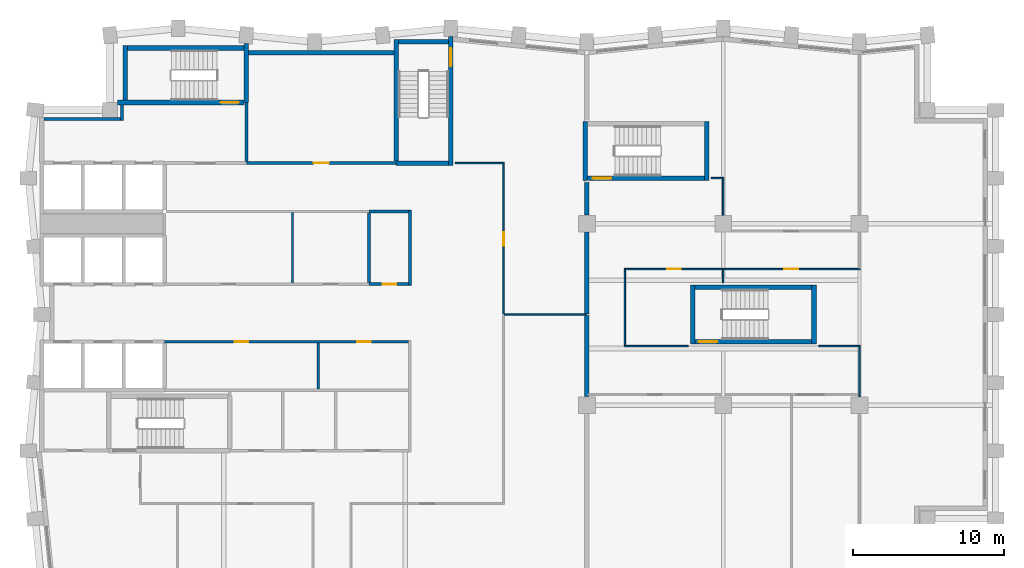
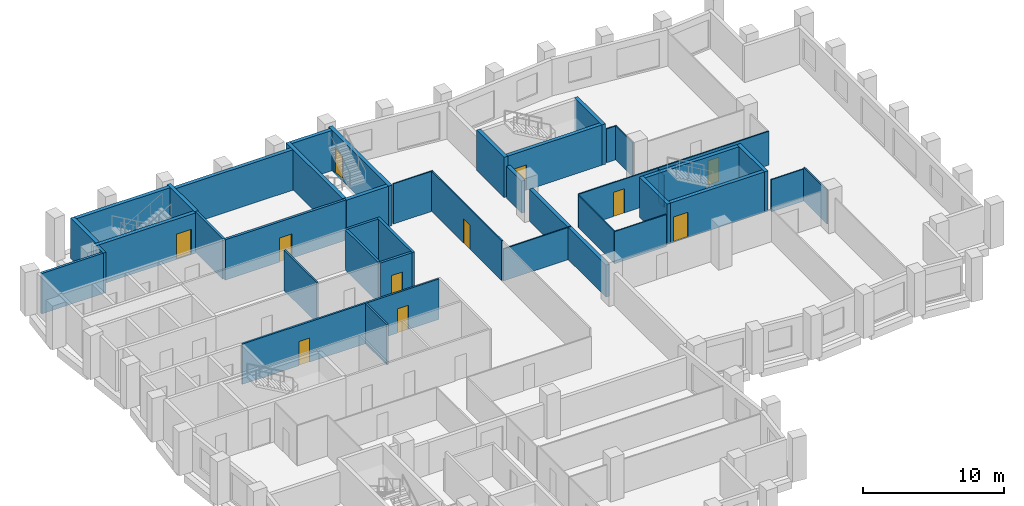
# One storey, part 6 of 10: 42 walls, 11 doors, 11 openings.
"""IFC4 building model written with IfcOpenShell, lengths in metres."""

from ifc_helpers import new_model, si_unit, direction, frame, frame_2d, origin, place, context, subcontext, project, spatial, rectangle, extrude, material, layer, layer_set, type_object, element, fill, save


model = new_model("IFC4")

# Units and contexts
model_context = context("Model", 3, precision=1e-05, world=origin(), true_north=direction((0.0, 1.0)))
body_context = subcontext(model_context, "Body", "Model", "MODEL_VIEW")
ifc_project = project(units=[si_unit("LENGTHUNIT", "METRE"), si_unit("AREAUNIT", "SQUARE_METRE"), si_unit("VOLUMEUNIT", "CUBIC_METRE"), si_unit("PLANEANGLEUNIT", "RADIAN"), si_unit("MASSUNIT", "GRAM", prefix="KILO")], contexts=[model_context])

# Site, building, storey
site_placement = place(None, origin())
site = spatial("IfcSite", under=ifc_project, at=site_placement, CompositionType="ELEMENT")
building_placement = place(site_placement, origin())
building = spatial("IfcBuilding", under=site, at=building_placement, Name="Brondeck Convention Tower", CompositionType="ELEMENT")
storey_placement = place(building_placement, frame((0.0, 0.0, 158.60009765625)))
storey = spatial("IfcBuildingStorey", under=building, at=storey_placement, Name="L38", CompositionType="ELEMENT", Elevation=158.60009765625)

# Walls
ifc_material_1 = material(Name="Concrete compartment wall C30/37", Category="concrete")
ifc_layer_1 = layer(ifc_material_1, 0.300048828125)
ifc_layer_set_1 = layer_set([ifc_layer_1], Name="Compartment wall 300")
wall_type_1 = type_object("IfcWallType", Name="Compartment wall 300", PredefinedType="PARTITIONING", material=ifc_layer_set_1)
wall_1_placement = place(storey_placement, frame((36.0, 39.570068359375, 0.0), z_axis=(0.0, 0.0, 1.0), x_axis=(0.0, 1.0, 0.0)))
element("IfcWall", 1, at=wall_1_placement, inside=storey, type_object=wall_type_1, Name="FLR-L38-W041", PredefinedType="PARTITIONING", context=body_context, shape_type="SweptSolid", body=[
    extrude(rectangle(XDim=5.369873046875, YDim=0.300048828125, at=frame_2d((2.68505859375, 0.0))), origin(), (0.0, 0.0, 1.0), 2.77978515625),
])
wall_2_placement = place(storey_placement, frame((36.0, 45.0400390625, 0.0), z_axis=(0.0, 0.0, 1.0), x_axis=(0.0, 1.0, 0.0)))
element("IfcWall", 2, at=wall_2_placement, inside=storey, type_object=wall_type_1, Name="FLR-L38-W047", PredefinedType="PARTITIONING", context=body_context, shape_type="SweptSolid", body=[
    extrude(rectangle(XDim=5.405029296875, YDim=0.300048828125, at=frame_2d((2.70263671875, 0.0))), origin(), (0.0, 0.0, 1.0), 2.77978515625),
])
wall_3_placement = place(storey_placement, frame((36.0, 51.554931640625, 0.0), z_axis=(0.0, 0.0, 1.0), x_axis=(0.0, 1.0, 0.0)))
element("IfcWall", 3, at=wall_3_placement, inside=storey, type_object=wall_type_1, Name="FLR-L38-W054", PredefinedType="PARTITIONING", context=body_context, shape_type="SweptSolid", body=[
    extrude(rectangle(XDim=2.14501953125, YDim=0.300048828125, at=frame_2d((1.072509765625, 0.0))), origin(), (0.0, 0.0, 1.0), 2.77978515625),
])
ifc_material_2 = material(Name="Concrete C70/85", Category="concrete")
ifc_layer_2 = layer(ifc_material_2, 0.199951171875)
ifc_layer_set_2 = layer_set([ifc_layer_2], Name="Core beam-seat wall 200 Concrete C70/85")
wall_type_2 = type_object("IfcWallType", Name="Core beam-seat wall 200 Concrete C70/85", PredefinedType="SHEAR", material=ifc_layer_set_2)
wall_4_placement = place(storey_placement, frame((24.300048828125, 46.89990234375, 0.0), z_axis=(0.0, 0.0, 1.0), x_axis=(0.0, 1.0, 0.0)))
element("IfcWall", 4, at=wall_4_placement, inside=storey, type_object=wall_type_2, Name="L38 core wall", PredefinedType="SHEAR", context=body_context, shape_type="SweptSolid", body=[
    extrude(rectangle(XDim=5.0, YDim=0.199951171875, at=frame_2d((2.5, 0.0))), origin(), (0.0, 0.0, 1.0), 3.5),
])
ifc_layer_3 = layer(ifc_material_2, 0.300048828125)
ifc_layer_set_3 = layer_set([ifc_layer_3], Name="Core outer wall 300 Concrete C70/85")
wall_type_3 = type_object("IfcWallType", Name="Core outer wall 300 Concrete C70/85", PredefinedType="SHEAR", material=ifc_layer_set_3)
wall_5_placement = place(storey_placement, frame((13.64990234375, 62.300048828125, 0.0), z_axis=(0.0, 0.0, 1.0), x_axis=(1.0, 0.0, 0.0)))
element("IfcWall", 5, at=wall_5_placement, inside=storey, type_object=wall_type_3, Name="L38 core wall", PredefinedType="SHEAR", context=body_context, shape_type="SweptSolid", body=[
    extrude(rectangle(XDim=9.60009765625, YDim=0.300048828125, at=frame_2d((4.800048828125, 0.0))), origin(), (0.0, 0.0, 1.0), 3.5),
])

# Wall, openings, doors
ifc_material_3 = material(Name="Fire-rated gypsum board partition")
ifc_layer_4 = layer(ifc_material_3, 0.14990234375)
ifc_layer_set_4 = layer_set([ifc_layer_4], Name="Core partition 150 EI 60")
wall_type_4 = type_object("IfcWallType", Name="Core partition 150 EI 60", PredefinedType="PARTITIONING", material=ifc_layer_set_4)
wall_6_placement = place(storey_placement, frame((8.10009765625, 43.199951171875, 0.0), z_axis=(0.0, 0.0, 1.0), x_axis=(1.0, 0.0, 0.0)))
wall_6 = element("IfcWall", 6, at=wall_6_placement, inside=storey, type_object=wall_type_4, Name="L38 core wall", PredefinedType="PARTITIONING", context=body_context, shape_type="SweptSolid", body=[
    extrude(rectangle(XDim=16.125, YDim=0.14990234375, at=frame_2d((8.0625, 0.0))), origin(), (0.0, 0.0, 1.0), 3.5),
])
opening_1_placement = place(wall_6_placement, frame((4.625, 0.0, 0.0)))
opening_1 = element("IfcOpeningElement", 7, at=opening_1_placement, cuts=wall_6, Name="Opening C22-09", PredefinedType="OPENING", context=body_context, shape_type="SweptSolid", body=[
    extrude(rectangle(XDim=0.89990234375, YDim=2.10009765625, at=frame_2d((0.449951171875, 1.050048828125))), frame((0.0, 0.0849609375, 0.0), z_axis=(0.0, -1.0, 0.0), x_axis=(1.0, 0.0, 0.0)), (0.0, 0.0, 1.0), 0.169921875),
])
opening_2_placement = place(wall_6_placement, frame((12.72509765625, 0.0, 0.0)))
opening_2 = element("IfcOpeningElement", 8, at=opening_2_placement, cuts=wall_6, Name="Opening C22-10", PredefinedType="OPENING", context=body_context, shape_type="SweptSolid", body=[
    extrude(rectangle(XDim=0.89990234375, YDim=2.10009765625, at=frame_2d((0.449951171875, 1.050048828125))), frame((0.0, 0.0849609375, 0.0), z_axis=(0.0, -1.0, 0.0), x_axis=(1.0, 0.0, 0.0)), (0.0, 0.0, 1.0), 0.169921875),
])
ifc_material_4 = material(Name="Steel fire door", Category="steel")
door_type_1 = type_object("IfcDoorType", Name="Room door 900x2100 EI 60", OperationType="NOTDEFINED", PredefinedType="DOOR", material=ifc_material_4)
door_1_placement = place(opening_1_placement, origin())
door_1 = element("IfcDoor", 9, at=door_1_placement, inside=storey, type_object=door_type_1, Name="L38 Room door FZ-S-8.1-1", OperationType="SINGLE_SWING_RIGHT", OverallHeight=2.10009765625, OverallWidth=0.89990234375, PredefinedType="DOOR", context=body_context, shape_type="SweptSolid", body=[
    extrude(rectangle(XDim=0.89990234375, YDim=2.10009765625, at=frame_2d((0.449951171875, 1.050048828125))), frame((0.0, 0.02490234375, 0.0), z_axis=(0.0, -1.0, 0.0), x_axis=(1.0, 0.0, 0.0)), (0.0, 0.0, 1.0), 0.050048828125),
])
fill(opening_1, door_1)
door_2_placement = place(opening_2_placement, origin())
door_2 = element("IfcDoor", 10, at=door_2_placement, inside=storey, type_object=door_type_1, Name="L38 Room door FZ-S-8.1-2", OperationType="SINGLE_SWING_LEFT", OverallHeight=2.10009765625, OverallWidth=0.89990234375, PredefinedType="DOOR", context=body_context, shape_type="SweptSolid", body=[
    extrude(rectangle(XDim=0.89990234375, YDim=2.10009765625, at=frame_2d((0.449951171875, 1.050048828125))), frame((0.0, 0.02490234375, 0.0), z_axis=(0.0, -1.0, 0.0), x_axis=(1.0, 0.0, 0.0)), (0.0, 0.0, 1.0), 0.050048828125),
])
fill(opening_2, door_2)

# Walls
wall_7_placement = place(storey_placement, frame((16.550048828125, 47.074951171875, 0.0), z_axis=(0.0, 0.0, 1.0), x_axis=(0.0, 1.0, 0.0)))
element("IfcWall", 11, at=wall_7_placement, inside=storey, type_object=wall_type_4, Name="L38 core wall", PredefinedType="PARTITIONING", context=body_context, shape_type="SweptSolid", body=[
    extrude(rectangle(XDim=4.650146484375, YDim=0.14990234375, at=frame_2d((2.3251953125, 0.0))), origin(), (0.0, 0.0, 1.0), 3.5),
])
wall_8_placement = place(storey_placement, frame((18.25, 40.074951171875, 0.0), z_axis=(0.0, 0.0, 1.0), x_axis=(0.0, 1.0, 0.0)))
element("IfcWall", 12, at=wall_8_placement, inside=storey, type_object=wall_type_4, Name="L38 core wall", PredefinedType="PARTITIONING", context=body_context, shape_type="SweptSolid", body=[
    extrude(rectangle(XDim=3.050048828125, YDim=0.14990234375, at=frame_2d((1.52490234375, 0.0))), origin(), (0.0, 0.0, 1.0), 3.5),
])
ifc_layer_5 = layer(ifc_material_3, 0.199951171875)
ifc_layer_set_5 = layer_set([ifc_layer_5], Name="Firefighting lobby wall 200 EI 120")
wall_type_5 = type_object("IfcWallType", Name="Firefighting lobby wall 200 EI 120", PredefinedType="PARTITIONING", material=ifc_layer_set_5)
wall_9_placement = place(storey_placement, frame((0.14990234375, 57.89990234375, 0.0), z_axis=(0.0, 0.0, 1.0), x_axis=(1.0, 0.0, 0.0)))
element("IfcWall", 13, at=wall_9_placement, inside=storey, type_object=wall_type_5, Name="L38 core wall", PredefinedType="PARTITIONING", context=body_context, shape_type="SweptSolid", body=[
    extrude(rectangle(XDim=5.050048828125, YDim=0.199951171875, at=frame_2d((2.52490234375, 0.0))), origin(), (0.0, 0.0, 1.0), 3.5),
])
wall_10_placement = place(storey_placement, frame((5.300048828125, 57.800048828125, 0.0), z_axis=(0.0, 0.0, 1.0), x_axis=(0.0, 1.0, 0.0)))
element("IfcWall", 14, at=wall_10_placement, inside=storey, type_object=wall_type_5, Name="L38 core wall", PredefinedType="PARTITIONING", context=body_context, shape_type="SweptSolid", body=[
    extrude(rectangle(XDim=1.050048828125, YDim=0.199951171875, at=frame_2d((0.52490234375, 0.0))), origin(), (0.0, 0.0, 1.0), 3.5),
])
wall_11_placement = place(storey_placement, frame((13.5, 55.10009765625, 0.0), z_axis=(0.0, 0.0, 1.0), x_axis=(0.0, 1.0, 0.0)))
element("IfcWall", 15, at=wall_11_placement, inside=storey, type_object=wall_type_5, Name="L38 core wall", PredefinedType="PARTITIONING", context=body_context, shape_type="SweptSolid", body=[
    extrude(rectangle(XDim=3.89990234375, YDim=0.199951171875, at=frame_2d((1.949951171875, 0.0))), origin(), (0.0, 0.0, 1.0), 3.5),
])

# Wall, opening, door
ifc_layer_6 = layer(ifc_material_3, 0.199951171875)
ifc_layer_set_6 = layer_set([ifc_layer_6], Name="Riser wall 200 EI 120")
wall_type_6 = type_object("IfcWallType", Name="Riser wall 200 EI 120", PredefinedType="PARTITIONING", material=ifc_layer_set_6)
wall_12_placement = place(storey_placement, frame((21.60009765625, 47.0, 0.0), z_axis=(0.0, 0.0, 1.0), x_axis=(1.0, 0.0, 0.0)))
wall_12 = element("IfcWall", 16, at=wall_12_placement, inside=storey, type_object=wall_type_6, Name="L38 core wall", PredefinedType="PARTITIONING", context=body_context, shape_type="SweptSolid", body=[
    extrude(rectangle(XDim=2.599853515625, YDim=0.199951171875, at=frame_2d((1.2998046875, 0.0))), origin(), (0.0, 0.0, 1.0), 3.5),
])
opening_3_placement = place(wall_12_placement, frame((0.89990234375, 0.0, 0.0)))
opening_3 = element("IfcOpeningElement", 17, at=opening_3_placement, cuts=wall_12, Name="Opening C22-02", PredefinedType="OPENING", context=body_context, shape_type="SweptSolid", body=[
    extrude(rectangle(XDim=0.89990234375, YDim=2.10009765625, at=frame_2d((0.449951171875, 1.050048828125))), frame((0.0, 0.10986328125, 0.0), z_axis=(0.0, -1.0, 0.0), x_axis=(1.0, 0.0, 0.0)), (0.0, 0.0, 1.0), 0.219970703125),
])
door_type_2 = type_object("IfcDoorType", Name="Riser door 900x2100 EI 120", OperationType="NOTDEFINED", PredefinedType="DOOR", material=ifc_material_4)
door_3_placement = place(opening_3_placement, origin())
door_3 = element("IfcDoor", 18, at=door_3_placement, inside=storey, type_object=door_type_2, Name="L38 Riser door EN-1", OperationType="SINGLE_SWING_LEFT", OverallHeight=2.10009765625, OverallWidth=0.89990234375, PredefinedType="DOOR", context=body_context, shape_type="SweptSolid", body=[
    extrude(rectangle(XDim=0.89990234375, YDim=2.10009765625, at=frame_2d((0.449951171875, 1.050048828125))), frame((0.0, 0.02490234375, 0.0), z_axis=(0.0, -1.0, 0.0), x_axis=(1.0, 0.0, 0.0)), (0.0, 0.0, 1.0), 0.050048828125),
])
fill(opening_3, door_3)

# Wall
wall_13_placement = place(storey_placement, frame((21.60009765625, 51.800048828125, 0.0), z_axis=(0.0, 0.0, 1.0), x_axis=(1.0, 0.0, 0.0)))
element("IfcWall", 19, at=wall_13_placement, inside=storey, type_object=wall_type_6, Name="L38 core wall", PredefinedType="PARTITIONING", context=body_context, shape_type="SweptSolid", body=[
    extrude(rectangle(XDim=2.599853515625, YDim=0.199951171875, at=frame_2d((1.2998046875, 0.0))), origin(), (0.0, 0.0, 1.0), 3.5),
])

# Wall, opening, door
wall_14_placement = place(storey_placement, frame((13.5, 55.0, 0.0), z_axis=(0.0, 0.0, 1.0), x_axis=(1.0, 0.0, 0.0)))
wall_14 = element("IfcWall", 20, at=wall_14_placement, inside=storey, type_object=wall_type_6, Name="L38 core wall", PredefinedType="PARTITIONING", context=body_context, shape_type="SweptSolid", body=[
    extrude(rectangle(XDim=9.89990234375, YDim=0.199951171875, at=frame_2d((4.949951171875, 0.0))), origin(), (0.0, 0.0, 1.0), 3.5),
])
opening_4_placement = place(wall_14_placement, frame((4.449951171875, 0.0, 0.0)))
opening_4 = element("IfcOpeningElement", 21, at=opening_4_placement, cuts=wall_14, Name="Opening C22-11", PredefinedType="OPENING", context=body_context, shape_type="SweptSolid", body=[
    extrude(rectangle(XDim=1.0, YDim=2.10009765625, at=frame_2d((0.5, 1.050048828125))), frame((0.0, 0.10986328125, 0.0), z_axis=(0.0, -1.0, 0.0), x_axis=(1.0, 0.0, 0.0)), (0.0, 0.0, 1.0), 0.219970703125),
])
door_type_3 = type_object("IfcDoorType", Name="Riser door 1000x2100 EI 120", OperationType="NOTDEFINED", PredefinedType="DOOR", material=ifc_material_4)
door_4_placement = place(opening_4_placement, origin())
door_4 = element("IfcDoor", 22, at=door_4_placement, inside=storey, type_object=door_type_3, Name="L38 Riser door NE-1", OperationType="SINGLE_SWING_LEFT", OverallHeight=2.10009765625, OverallWidth=1.0, PredefinedType="DOOR", context=body_context, shape_type="SweptSolid", body=[
    extrude(rectangle(XDim=1.0, YDim=2.10009765625, at=frame_2d((0.5, 1.050048828125))), frame((0.0, 0.02490234375, 0.0), z_axis=(0.0, -1.0, 0.0), x_axis=(1.0, 0.0, 0.0)), (0.0, 0.0, 1.0), 0.050048828125),
])
fill(opening_4, door_4)

# Walls
wall_15_placement = place(storey_placement, frame((21.60009765625, 47.10009765625, 0.0), z_axis=(0.0, 0.0, 1.0), x_axis=(0.0, 1.0, 0.0)))
element("IfcWall", 23, at=wall_15_placement, inside=storey, type_object=wall_type_6, Name="L38 core wall", PredefinedType="PARTITIONING", context=body_context, shape_type="SweptSolid", body=[
    extrude(rectangle(XDim=4.599853515625, YDim=0.199951171875, at=frame_2d((2.2998046875, 0.0))), origin(), (0.0, 0.0, 1.0), 3.5),
])
ifc_material_5 = material(Name="Gypsum board partition on steel studs", Category="steel")
ifc_layer_7 = layer(ifc_material_5, 0.10009765625)
ifc_layer_set_7 = layer_set([ifc_layer_7], Name="Room partition 100")
wall_type_7 = type_object("IfcWallType", Name="Room partition 100", PredefinedType="PARTITIONING", material=ifc_layer_set_7)
wall_16_placement = place(storey_placement, frame((54.0, 42.85009765625, 0.0), z_axis=(0.0, 0.0, 1.0), x_axis=(0.0, -1.0, 0.0)))
element("IfcWall", 24, at=wall_16_placement, inside=storey, type_object=wall_type_7, Name="FLR-L38-W042", PredefinedType="PARTITIONING", context=body_context, shape_type="SweptSolid", body=[
    extrude(rectangle(XDim=3.280029296875, YDim=0.10009765625, at=frame_2d((1.64013671875, 0.0))), origin(), (0.0, 0.0, 1.0), 2.929931640625),
])
wall_17_placement = place(storey_placement, frame((38.449951171875, 42.89990234375, 0.0), z_axis=(0.0, 0.0, 1.0), x_axis=(1.0, 0.0, 0.0)))
element("IfcWall", 25, at=wall_17_placement, inside=storey, type_object=wall_type_7, Name="FLR-L38-W043", PredefinedType="PARTITIONING", context=body_context, shape_type="SweptSolid", body=[
    extrude(rectangle(XDim=4.25, YDim=0.10009765625, at=frame_2d((2.125, 0.0))), origin(), (0.0, 0.0, 1.0), 2.77978515625),
])
wall_18_placement = place(storey_placement, frame((51.300048828125, 42.89990234375, 0.0), z_axis=(0.0, 0.0, 1.0), x_axis=(1.0, 0.0, 0.0)))
element("IfcWall", 26, at=wall_18_placement, inside=storey, type_object=wall_type_7, Name="FLR-L38-W044", PredefinedType="PARTITIONING", context=body_context, shape_type="SweptSolid", body=[
    extrude(rectangle(XDim=2.75, YDim=0.10009765625, at=frame_2d((1.375, 0.0))), origin(), (0.0, 0.0, 1.0), 2.77978515625),
])
wall_19_placement = place(storey_placement, frame((30.550048828125, 44.989990234375, 0.0), z_axis=(0.0, 0.0, 1.0), x_axis=(1.0, 0.0, 0.0)))
element("IfcWall", 27, at=wall_19_placement, inside=storey, type_object=wall_type_7, Name="FLR-L38-W046", PredefinedType="PARTITIONING", context=body_context, shape_type="SweptSolid", body=[
    extrude(rectangle(XDim=5.39990234375, YDim=0.10009765625, at=frame_2d((2.699951171875, 0.0))), origin(), (0.0, 0.0, 1.0), 2.77978515625),
])
wall_20_placement = place(storey_placement, frame((38.5, 47.949951171875, 0.0), z_axis=(0.0, 0.0, 1.0), x_axis=(0.0, -1.0, 0.0)))
element("IfcWall", 28, at=wall_20_placement, inside=storey, type_object=wall_type_7, Name="FLR-L38-W048", PredefinedType="PARTITIONING", context=body_context, shape_type="SweptSolid", body=[
    extrude(rectangle(XDim=5.0, YDim=0.10009765625, at=frame_2d((2.5, 0.0))), origin(), (0.0, 0.0, 1.0), 2.77978515625),
])
wall_21_placement = place(storey_placement, frame((45.0, 47.949951171875, 0.0), z_axis=(0.0, 0.0, 1.0), x_axis=(0.0, -1.0, 0.0)))
element("IfcWall", 29, at=wall_21_placement, inside=storey, type_object=wall_type_7, Name="FLR-L38-W049", PredefinedType="PARTITIONING", context=body_context, shape_type="SweptSolid", body=[
    extrude(rectangle(XDim=0.849853515625, YDim=0.10009765625, at=frame_2d((0.4248046875, 0.0))), origin(), (0.0, 0.0, 1.0), 2.77978515625),
])

# Wall, opening, door
wall_22_placement = place(storey_placement, frame((45.0, 48.0, 0.0), z_axis=(0.0, 0.0, 1.0), x_axis=(-1.0, 0.0, 0.0)))
wall_22 = element("IfcWall", 30, at=wall_22_placement, inside=storey, type_object=wall_type_7, Name="FLR-L38-W050", PredefinedType="PARTITIONING", context=body_context, shape_type="SweptSolid", body=[
    extrude(rectangle(XDim=6.550048828125, YDim=0.10009765625, at=frame_2d((3.27490234375, 0.0))), origin(), (0.0, 0.0, 1.0), 2.929931640625),
])
opening_5_placement = place(wall_22_placement, frame((2.800048828125, 0.0, 0.0)))
opening_5 = element("IfcOpeningElement", 31, at=opening_5_placement, cuts=wall_22, Name="Opening OF-G-002", PredefinedType="OPENING", context=body_context, shape_type="SweptSolid", body=[
    extrude(rectangle(XDim=0.89990234375, YDim=2.10009765625, at=frame_2d((0.449951171875, 1.050048828125))), frame((0.0, 0.06005859375, 0.0), z_axis=(0.0, -1.0, 0.0), x_axis=(1.0, 0.0, 0.0)), (0.0, 0.0, 1.0), 0.1201171875),
])
ifc_material_6 = material(Name="Solid timber door leaf", Category="wood")
door_type_4 = type_object("IfcDoorType", Name="Single door 900", OperationType="NOTDEFINED", PredefinedType="DOOR", material=ifc_material_6)
door_5_placement = place(opening_5_placement, origin())
door_5 = element("IfcDoor", 32, at=door_5_placement, inside=storey, type_object=door_type_4, Name="Door OF-G-002", OperationType="SINGLE_SWING_RIGHT", OverallHeight=2.10009765625, OverallWidth=0.89990234375, PredefinedType="DOOR", context=body_context, shape_type="SweptSolid", body=[
    extrude(rectangle(XDim=0.89990234375, YDim=2.10009765625, at=frame_2d((0.449951171875, 1.050048828125))), frame((0.0, 0.02490234375, 0.0), z_axis=(0.0, -1.0, 0.0), x_axis=(1.0, 0.0, 0.0)), (0.0, 0.0, 1.0), 0.050048828125),
])
fill(opening_5, door_5)

wall_23_placement = place(storey_placement, frame((54.050048828125, 48.0, 0.0), z_axis=(0.0, 0.0, 1.0), x_axis=(-1.0, 0.0, 0.0)))
wall_23 = element("IfcWall", 33, at=wall_23_placement, inside=storey, type_object=wall_type_7, Name="FLR-L38-W051", PredefinedType="PARTITIONING", context=body_context, shape_type="SweptSolid", body=[
    extrude(rectangle(XDim=9.050048828125, YDim=0.10009765625, at=frame_2d((4.52490234375, 0.0))), origin(), (0.0, 0.0, 1.0), 2.929931640625),
])
opening_6_placement = place(wall_23_placement, frame((4.10009765625, 0.0, 0.0)))
opening_6 = element("IfcOpeningElement", 34, at=opening_6_placement, cuts=wall_23, Name="Opening OF-G-005", PredefinedType="OPENING", context=body_context, shape_type="SweptSolid", body=[
    extrude(rectangle(XDim=0.89990234375, YDim=2.10009765625, at=frame_2d((0.449951171875, 1.050048828125))), frame((0.0, 0.06005859375, 0.0), z_axis=(0.0, -1.0, 0.0), x_axis=(1.0, 0.0, 0.0)), (0.0, 0.0, 1.0), 0.1201171875),
])
door_6_placement = place(opening_6_placement, origin())
door_6 = element("IfcDoor", 35, at=door_6_placement, inside=storey, type_object=door_type_4, Name="Door OF-G-005", OperationType="SINGLE_SWING_RIGHT", OverallHeight=2.10009765625, OverallWidth=0.89990234375, PredefinedType="DOOR", context=body_context, shape_type="SweptSolid", body=[
    extrude(rectangle(XDim=0.89990234375, YDim=2.10009765625, at=frame_2d((0.449951171875, 1.050048828125))), frame((0.0, 0.02490234375, 0.0), z_axis=(0.0, -1.0, 0.0), x_axis=(1.0, 0.0, 0.0)), (0.0, 0.0, 1.0), 0.050048828125),
])
fill(opening_6, door_6)

# Walls
wall_24_placement = place(storey_placement, frame((45.0, 53.949951171875, 0.0), z_axis=(0.0, 0.0, 1.0), x_axis=(0.0, -1.0, 0.0)))
element("IfcWall", 36, at=wall_24_placement, inside=storey, type_object=wall_type_7, Name="FLR-L38-W056", PredefinedType="PARTITIONING", context=body_context, shape_type="SweptSolid", body=[
    extrude(rectangle(XDim=2.39501953125, YDim=0.10009765625, at=frame_2d((1.197509765625, 0.0))), origin(), (0.0, 0.0, 1.0), 2.929931640625),
])
wall_25_placement = place(storey_placement, frame((44.199951171875, 54.0, 0.0), z_axis=(0.0, 0.0, 1.0), x_axis=(1.0, 0.0, 0.0)))
element("IfcWall", 37, at=wall_25_placement, inside=storey, type_object=wall_type_7, Name="FLR-L38-W057", PredefinedType="PARTITIONING", context=body_context, shape_type="SweptSolid", body=[
    extrude(rectangle(XDim=0.85009765625, YDim=0.10009765625, at=frame_2d((0.425048828125, 0.0))), origin(), (0.0, 0.0, 1.0), 2.929931640625),
])

# Wall, opening, door
wall_26_placement = place(storey_placement, frame((30.5, 54.949951171875, 0.0), z_axis=(0.0, 0.0, 1.0), x_axis=(0.0, -1.0, 0.0)))
wall_26 = element("IfcWall", 38, at=wall_26_placement, inside=storey, type_object=wall_type_7, Name="FLR-L38-W058", PredefinedType="PARTITIONING", context=body_context, shape_type="SweptSolid", body=[
    extrude(rectangle(XDim=9.909912109375, YDim=0.10009765625, at=frame_2d((4.955078125, 0.0))), origin(), (0.0, 0.0, 1.0), 3.47998046875),
])
opening_7_placement = place(wall_26_placement, frame((4.5048828125, 0.0, 0.0)))
opening_7 = element("IfcOpeningElement", 39, at=opening_7_placement, cuts=wall_26, Name="Opening OF-G-016", PredefinedType="OPENING", context=body_context, shape_type="SweptSolid", body=[
    extrude(rectangle(XDim=0.89990234375, YDim=2.10009765625, at=frame_2d((0.449951171875, 1.050048828125))), frame((0.0, 0.06005859375, 0.0), z_axis=(0.0, -1.0, 0.0), x_axis=(1.0, 0.0, 0.0)), (0.0, 0.0, 1.0), 0.1201171875),
])
door_7_placement = place(opening_7_placement, origin())
door_7 = element("IfcDoor", 40, at=door_7_placement, inside=storey, type_object=door_type_4, Name="Door OF-G-016", OperationType="SINGLE_SWING_LEFT", OverallHeight=2.10009765625, OverallWidth=0.89990234375, PredefinedType="DOOR", context=body_context, shape_type="SweptSolid", body=[
    extrude(rectangle(XDim=0.89990234375, YDim=2.10009765625, at=frame_2d((0.449951171875, 1.050048828125))), frame((0.0, 0.02490234375, 0.0), z_axis=(0.0, -1.0, 0.0), x_axis=(1.0, 0.0, 0.0)), (0.0, 0.0, 1.0), 0.050048828125),
])
fill(opening_7, door_7)

# Wall
wall_27_placement = place(storey_placement, frame((27.300048828125, 55.0, 0.0), z_axis=(0.0, 0.0, 1.0), x_axis=(1.0, 0.0, 0.0)))
element("IfcWall", 41, at=wall_27_placement, inside=storey, type_object=wall_type_7, Name="FLR-L38-W059", PredefinedType="PARTITIONING", context=body_context, shape_type="SweptSolid", body=[
    extrude(rectangle(XDim=3.25, YDim=0.10009765625, at=frame_2d((1.625, 0.0))), origin(), (0.0, 0.0, 1.0), 3.47998046875),
])

# Wall, opening, door
ifc_layer_8 = layer(ifc_material_2, 0.300048828125)
ifc_layer_set_8 = layer_set([ifc_layer_8], Name="Stair enclosure wall 300 Concrete C70/85")
wall_type_8 = type_object("IfcWallType", Name="Stair enclosure wall 300 Concrete C70/85", PredefinedType="SHEAR", material=ifc_layer_set_8)
wall_28_placement = place(storey_placement, frame((43.14990234375, 43.199951171875, 0.0), z_axis=(0.0, 0.0, 1.0), x_axis=(1.0, 0.0, 0.0)))
wall_28 = element("IfcWall", 42, at=wall_28_placement, inside=storey, type_object=wall_type_8, Name="L38 core wall", PredefinedType="SHEAR", context=body_context, shape_type="SweptSolid", body=[
    extrude(rectangle(XDim=7.7001953125, YDim=0.300048828125, at=frame_2d((3.85009765625, 0.0))), origin(), (0.0, 0.0, 1.0), 3.5),
])
opening_8_placement = place(wall_28_placement, frame((0.25, 0.0, 0.0)))
opening_8 = element("IfcOpeningElement", 43, at=opening_8_placement, cuts=wall_28, Name="Opening C22-16", PredefinedType="OPENING", context=body_context, shape_type="SweptSolid", body=[
    extrude(rectangle(XDim=1.199951171875, YDim=2.199951171875, at=frame_2d((0.60009765625, 1.10009765625))), frame((0.0, 0.159912109375, 0.0), z_axis=(0.0, -1.0, 0.0), x_axis=(1.0, 0.0, 0.0)), (0.0, 0.0, 1.0), 0.320068359375),
])
door_type_5 = type_object("IfcDoorType", Name="Stair door 1200x2200 EI 90", OperationType="NOTDEFINED", PredefinedType="DOOR", material=ifc_material_4)
door_8_placement = place(opening_8_placement, origin())
door_8 = element("IfcDoor", 44, at=door_8_placement, inside=storey, type_object=door_type_5, Name="L38 Stair door ST-AF", OperationType="SINGLE_SWING_RIGHT", OverallHeight=2.199951171875, OverallWidth=1.199951171875, PredefinedType="DOOR", context=body_context, shape_type="SweptSolid", body=[
    extrude(rectangle(XDim=1.199951171875, YDim=2.199951171875, at=frame_2d((0.60009765625, 1.10009765625))), frame((0.0, 0.02490234375, 0.0), z_axis=(0.0, -1.0, 0.0), x_axis=(1.0, 0.0, 0.0)), (0.0, 0.0, 1.0), 0.050048828125),
])
fill(opening_8, door_8)

# Wall
wall_29_placement = place(storey_placement, frame((43.14990234375, 46.800048828125, 0.0), z_axis=(0.0, 0.0, 1.0), x_axis=(1.0, 0.0, 0.0)))
element("IfcWall", 45, at=wall_29_placement, inside=storey, type_object=wall_type_8, Name="L38 core wall", PredefinedType="SHEAR", context=body_context, shape_type="SweptSolid", body=[
    extrude(rectangle(XDim=7.7001953125, YDim=0.300048828125, at=frame_2d((3.85009765625, 0.0))), origin(), (0.0, 0.0, 1.0), 3.5),
])

# Wall, opening, door
wall_30_placement = place(storey_placement, frame((36.050048828125, 54.0, 0.0), z_axis=(0.0, 0.0, 1.0), x_axis=(1.0, 0.0, 0.0)))
wall_30 = element("IfcWall", 46, at=wall_30_placement, inside=storey, type_object=wall_type_8, Name="L38 core wall", PredefinedType="SHEAR", context=body_context, shape_type="SweptSolid", body=[
    extrude(rectangle(XDim=7.699951171875, YDim=0.300048828125, at=frame_2d((3.85009765625, 0.0))), origin(), (0.0, 0.0, 1.0), 3.5),
])
opening_9_placement = place(wall_30_placement, frame((0.35009765625, 0.0, 0.0)))
opening_9 = element("IfcOpeningElement", 47, at=opening_9_placement, cuts=wall_30, Name="Opening C22-15", PredefinedType="OPENING", context=body_context, shape_type="SweptSolid", body=[
    extrude(rectangle(XDim=1.199951171875, YDim=2.199951171875, at=frame_2d((0.60009765625, 1.10009765625))), frame((0.0, 0.159912109375, 0.0), z_axis=(0.0, -1.0, 0.0), x_axis=(1.0, 0.0, 0.0)), (0.0, 0.0, 1.0), 0.320068359375),
])
door_9_placement = place(opening_9_placement, origin())
door_9 = element("IfcDoor", 48, at=door_9_placement, inside=storey, type_object=door_type_5, Name="L38 Stair door ST-AE", OperationType="SINGLE_SWING_LEFT", OverallHeight=2.199951171875, OverallWidth=1.199951171875, PredefinedType="DOOR", context=body_context, shape_type="SweptSolid", body=[
    extrude(rectangle(XDim=1.199951171875, YDim=2.199951171875, at=frame_2d((0.60009765625, 1.10009765625))), frame((0.0, 0.02490234375, 0.0), z_axis=(0.0, -1.0, 0.0), x_axis=(1.0, 0.0, 0.0)), (0.0, 0.0, 1.0), 0.050048828125),
])
fill(opening_9, door_9)

# Wall
wall_31_placement = place(storey_placement, frame((23.39990234375, 55.0, 0.0), z_axis=(0.0, 0.0, 1.0), x_axis=(1.0, 0.0, 0.0)))
element("IfcWall", 49, at=wall_31_placement, inside=storey, type_object=wall_type_8, Name="L38 core wall", PredefinedType="SHEAR", context=body_context, shape_type="SweptSolid", body=[
    extrude(rectangle(XDim=3.4501953125, YDim=0.300048828125, at=frame_2d((1.72509765625, 0.0))), origin(), (0.0, 0.0, 1.0), 3.5),
])

# Wall, opening, door
wall_32_placement = place(storey_placement, frame((5.0, 59.0, 0.0), z_axis=(0.0, 0.0, 1.0), x_axis=(1.0, 0.0, 0.0)))
wall_32 = element("IfcWall", 50, at=wall_32_placement, inside=storey, type_object=wall_type_8, Name="L38 core wall", PredefinedType="SHEAR", context=body_context, shape_type="SweptSolid", body=[
    extrude(rectangle(XDim=8.35009765625, YDim=0.300048828125, at=frame_2d((4.175048828125, 0.0))), origin(), (0.0, 0.0, 1.0), 3.5),
])
opening_10_placement = place(wall_32_placement, frame((6.800048828125, 0.0, 0.0)))
opening_10 = element("IfcOpeningElement", 51, at=opening_10_placement, cuts=wall_32, Name="Opening C22-14", PredefinedType="OPENING", context=body_context, shape_type="SweptSolid", body=[
    extrude(rectangle(XDim=1.199951171875, YDim=2.199951171875, at=frame_2d((0.60009765625, 1.10009765625))), frame((0.0, 0.159912109375, 0.0), z_axis=(0.0, -1.0, 0.0), x_axis=(1.0, 0.0, 0.0)), (0.0, 0.0, 1.0), 0.320068359375),
])
door_type_6 = type_object("IfcDoorType", Name="Stair door 1200x2200 EI 120", OperationType="NOTDEFINED", PredefinedType="DOOR", material=ifc_material_4)
door_10_placement = place(opening_10_placement, origin())
door_10 = element("IfcDoor", 52, at=door_10_placement, inside=storey, type_object=door_type_6, Name="L38 Stair door ST-3", OperationType="SINGLE_SWING_RIGHT", OverallHeight=2.199951171875, OverallWidth=1.199951171875, PredefinedType="DOOR", context=body_context, shape_type="SweptSolid", body=[
    extrude(rectangle(XDim=1.199951171875, YDim=2.199951171875, at=frame_2d((0.60009765625, 1.10009765625))), frame((0.0, 0.02490234375, 0.0), z_axis=(0.0, -1.0, 0.0), x_axis=(1.0, 0.0, 0.0)), (0.0, 0.0, 1.0), 0.050048828125),
])
fill(opening_10, door_10)

# Walls
wall_33_placement = place(storey_placement, frame((5.64990234375, 62.60009765625, 0.0), z_axis=(0.0, 0.0, 1.0), x_axis=(1.0, 0.0, 0.0)))
element("IfcWall", 53, at=wall_33_placement, inside=storey, type_object=wall_type_8, Name="L38 core wall", PredefinedType="SHEAR", context=body_context, shape_type="SweptSolid", body=[
    extrude(rectangle(XDim=7.7001953125, YDim=0.300048828125, at=frame_2d((3.85009765625, 0.0))), origin(), (0.0, 0.0, 1.0), 3.5),
])
wall_34_placement = place(storey_placement, frame((23.550048828125, 63.0, 0.0), z_axis=(0.0, 0.0, 1.0), x_axis=(1.0, 0.0, 0.0)))
element("IfcWall", 54, at=wall_34_placement, inside=storey, type_object=wall_type_8, Name="L38 core wall", PredefinedType="SHEAR", context=body_context, shape_type="SweptSolid", body=[
    extrude(rectangle(XDim=3.300048828125, YDim=0.300048828125, at=frame_2d((1.64990234375, 0.0))), origin(), (0.0, 0.0, 1.0), 3.5),
])
wall_35_placement = place(storey_placement, frame((5.5, 59.14990234375, 0.0), z_axis=(0.0, 0.0, 1.0), x_axis=(0.0, 1.0, 0.0)))
element("IfcWall", 55, at=wall_35_placement, inside=storey, type_object=wall_type_8, Name="L38 core wall", PredefinedType="SHEAR", context=body_context, shape_type="SweptSolid", body=[
    extrude(rectangle(XDim=3.60009765625, YDim=0.300048828125, at=frame_2d((1.800048828125, 0.0))), origin(), (0.0, 0.0, 1.0), 3.5),
])
wall_36_placement = place(storey_placement, frame((13.5, 59.0, 0.0), z_axis=(0.0, 0.0, 1.0), x_axis=(0.0, 1.0, 0.0)))
element("IfcWall", 56, at=wall_36_placement, inside=storey, type_object=wall_type_8, Name="L38 core wall", PredefinedType="SHEAR", context=body_context, shape_type="SweptSolid", body=[
    extrude(rectangle(XDim=3.897216796875, YDim=0.300048828125, at=frame_2d((1.94873046875, 0.0))), origin(), (0.0, 0.0, 1.0), 3.5),
])
wall_37_placement = place(storey_placement, frame((23.39990234375, 55.14990234375, 0.0), z_axis=(0.0, 0.0, 1.0), x_axis=(0.0, 1.0, 0.0)))
element("IfcWall", 57, at=wall_37_placement, inside=storey, type_object=wall_type_8, Name="L38 core wall", PredefinedType="SHEAR", context=body_context, shape_type="SweptSolid", body=[
    extrude(rectangle(XDim=8.0, YDim=0.300048828125, at=frame_2d((4.0, 0.0))), origin(), (0.0, 0.0, 1.0), 3.5),
])

# Wall, opening, door
wall_38_placement = place(storey_placement, frame((27.0, 54.85009765625, 0.0), z_axis=(0.0, 0.0, 1.0), x_axis=(0.0, 1.0, 0.0)))
wall_38 = element("IfcWall", 58, at=wall_38_placement, inside=storey, type_object=wall_type_8, Name="L38 core wall", PredefinedType="SHEAR", context=body_context, shape_type="SweptSolid", body=[
    extrude(rectangle(XDim=8.5, YDim=0.300048828125, at=frame_2d((4.25, 0.0))), origin(), (0.0, 0.0, 1.0), 3.5),
])
opening_11_placement = place(wall_38_placement, frame((6.550048828125, 0.0, 0.0)))
opening_11 = element("IfcOpeningElement", 59, at=opening_11_placement, cuts=wall_38, Name="Opening C22-13", PredefinedType="OPENING", context=body_context, shape_type="SweptSolid", body=[
    extrude(rectangle(XDim=1.199951171875, YDim=2.199951171875, at=frame_2d((0.60009765625, 1.10009765625))), frame((0.0, 0.159912109375, 0.0), z_axis=(0.0, -1.0, 0.0), x_axis=(1.0, 0.0, 0.0)), (0.0, 0.0, 1.0), 0.320068359375),
])
door_11_placement = place(opening_11_placement, origin())
door_11 = element("IfcDoor", 60, at=door_11_placement, inside=storey, type_object=door_type_5, Name="L38 Stair door ST-2", OperationType="SINGLE_SWING_LEFT", OverallHeight=2.199951171875, OverallWidth=1.199951171875, PredefinedType="DOOR", context=body_context, shape_type="SweptSolid", body=[
    extrude(rectangle(XDim=1.199951171875, YDim=2.199951171875, at=frame_2d((0.60009765625, 1.10009765625))), frame((0.0, 0.02490234375, 0.0), z_axis=(0.0, -1.0, 0.0), x_axis=(1.0, 0.0, 0.0)), (0.0, 0.0, 1.0), 0.050048828125),
])
fill(opening_11, door_11)

# Walls
for number, where, z_axis, x_axis, name in (
    (61, (35.89990234375, 53.85009765625, 0.0), (0.0, 0.0, 1.0), (0.0, 1.0, 0.0), "L38 core wall"),
    (62, (43.0, 43.050048828125, 0.0), (0.0, 0.0, 1.0), (0.0, 1.0, 0.0), "L38 core wall"),
    (63, (43.89990234375, 53.85009765625, 0.0), (0.0, 0.0, 1.0), (0.0, 1.0, 0.0), "L38 core wall"),
    (64, (51.0, 43.050048828125, 0.0), (0.0, 0.0, 1.0), (0.0, 1.0, 0.0), "L38 core wall"),
):
    element("IfcWall", number, at=place(storey_placement, frame(where, z_axis=z_axis, x_axis=x_axis)), inside=storey, type_object=wall_type_8, Name=name, PredefinedType="SHEAR", context=body_context, shape_type="SweptSolid", body=[
        extrude(rectangle(XDim=3.89990234375, YDim=0.300048828125, at=frame_2d((1.949951171875, 0.0))), origin(), (0.0, 0.0, 1.0), 3.5),
    ])

save(model, "model.ifc")
